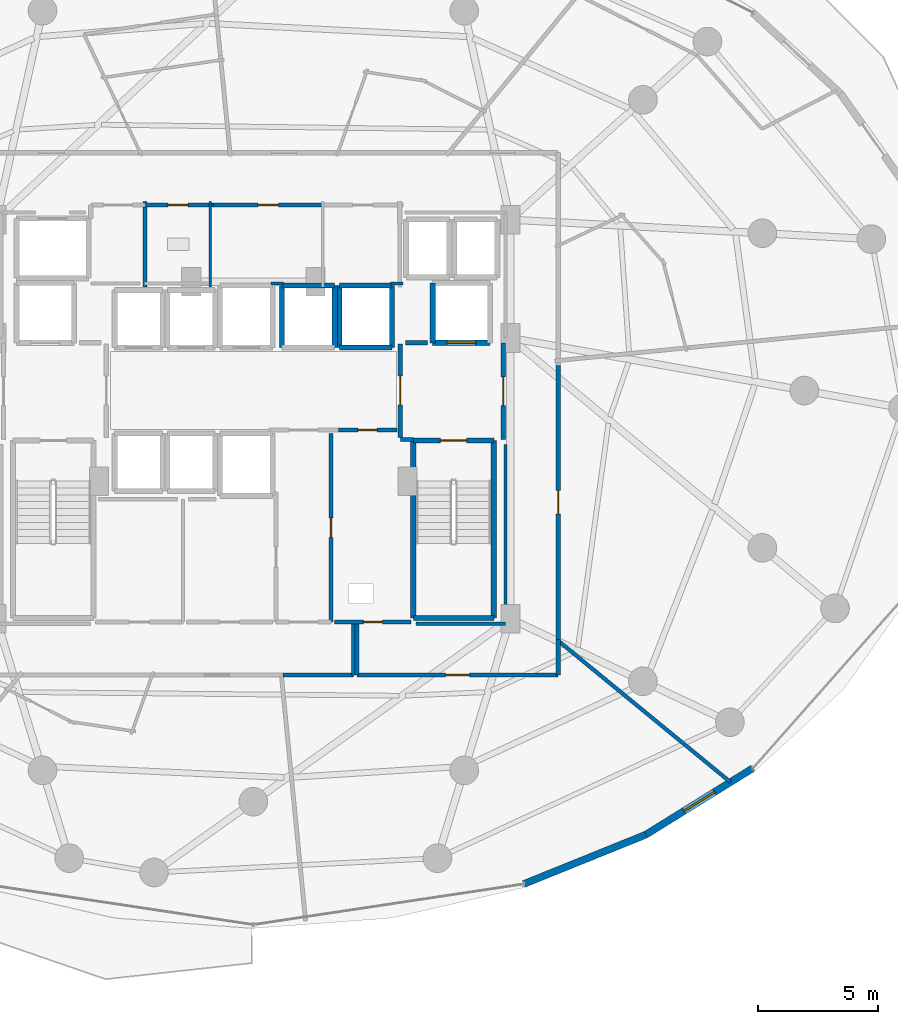
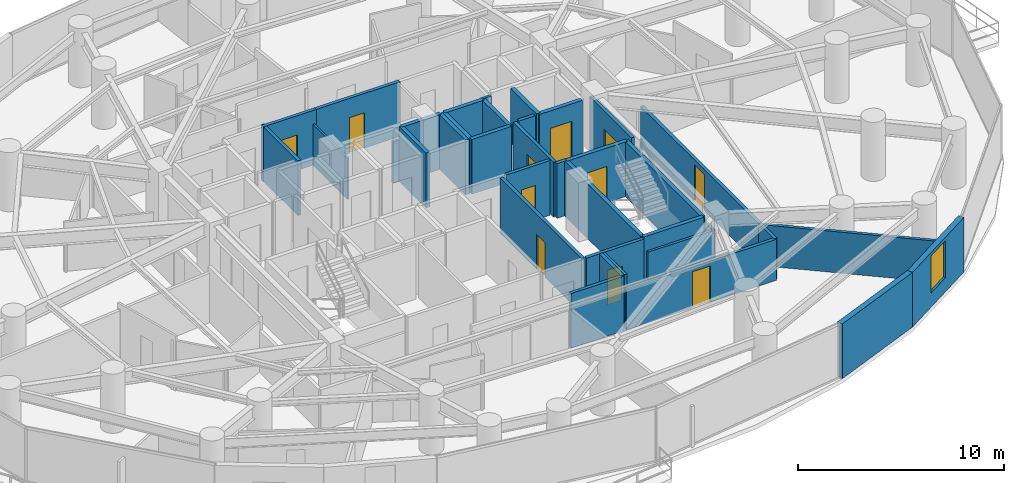
# One storey, part 28 of 33: 37 walls, 11 doors, 1 window, 12 openings.
"""IFC4 building model written with IfcOpenShell, lengths in metres."""

from ifc_helpers import new_model, si_unit, direction, frame, frame_2d, origin, place, context, subcontext, project, spatial, rectangle, extrude, material, layer, layer_set, type_object, element, fill, save


model = new_model("IFC4")

# Units and contexts
model_context = context("Model", 3, precision=1e-05, world=origin(), true_north=direction((0.0, 1.0)))
body_context = subcontext(model_context, "Body", "Model", "MODEL_VIEW")
ifc_project = project(units=[si_unit("LENGTHUNIT", "METRE"), si_unit("AREAUNIT", "SQUARE_METRE"), si_unit("VOLUMEUNIT", "CUBIC_METRE"), si_unit("PLANEANGLEUNIT", "RADIAN"), si_unit("MASSUNIT", "GRAM", prefix="KILO")], contexts=[model_context])

# Site, building, storey
site_placement = place(None, origin())
site = spatial("IfcSite", under=ifc_project, at=site_placement, CompositionType="ELEMENT")
building_placement = place(site_placement, origin())
building = spatial("IfcBuilding", under=site, at=building_placement, Name="Vorneva Point Tower", CompositionType="ELEMENT")
storey_placement = place(building_placement, frame((0.0, 0.0, 59.0)))
storey = spatial("IfcBuildingStorey", under=building, at=storey_placement, Name="L15", CompositionType="ELEMENT", Elevation=59.0)

# Wall, opening, door
ifc_material_1 = material(Name="Concrete B60 (C50/60)", Category="concrete")
ifc_layer_1 = layer(ifc_material_1, 0.5)
ifc_layer_set_1 = layer_set([ifc_layer_1], Name="Concrete B60 (C50/60)")
wall_type_1 = type_object("IfcWallType", Name="WL-CORE-500", PredefinedType="SHEAR", material=ifc_layer_set_1)
wall_1_placement = place(storey_placement, frame((45.5, 28.0, 0.0), z_axis=(0.0, 0.0, 1.0), x_axis=(1.0, 0.0, 0.0)))
wall_1 = element("IfcWall", 1, at=wall_1_placement, inside=storey, type_object=wall_type_1, Name="L15 Lift FFL2 Shaft Wall -Y", PredefinedType="SHEAR", context=body_context, shape_type="SweptSolid", body=[
    extrude(rectangle(XDim=2.39990234375, YDim=0.219970703125, at=frame_2d((1.199951171875, 0.0))), origin(), (0.0, 0.0, 1.0), 3.239990234375),
])
opening_1_placement = place(wall_1_placement, frame((0.60009765625, 0.0, 0.0)))
opening_1 = element("IfcOpeningElement", 2, at=opening_1_placement, cuts=wall_1, Name="Opening LD-02", PredefinedType="OPENING", context=body_context, shape_type="SweptSolid", body=[
    extrude(rectangle(XDim=1.199951171875, YDim=2.199951171875, at=frame_2d((0.60009765625, 1.10009765625))), frame((0.0, 0.125, 0.0), z_axis=(0.0, -1.0, 0.0), x_axis=(1.0, 0.0, 0.0)), (0.0, 0.0, 1.0), 0.249755859375),
])
ifc_material_2 = material(Name="Brushed stainless steel S304", Category="steel")
door_type_1 = type_object("IfcDoorType", Name="LD-FIRE-1200", OperationType="SLIDING_TO_LEFT", PredefinedType="DOOR", material=ifc_material_2)
door_1_placement = place(opening_1_placement, origin())
door_1 = element("IfcDoor", 3, at=door_1_placement, inside=storey, type_object=door_type_1, Name="L15 Lift FFL2 Sliding Landing Door", OperationType="SLIDING_TO_LEFT", OverallHeight=2.199951171875, OverallWidth=1.199951171875, PredefinedType="DOOR", context=body_context, shape_type="SweptSolid", body=[
    extrude(rectangle(XDim=1.199951171875, YDim=2.199951171875, at=frame_2d((0.60009765625, 1.10009765625))), frame((0.0, 0.02490234375, 0.0), z_axis=(0.0, -1.0, 0.0), x_axis=(1.0, 0.0, 0.0)), (0.0, 0.0, 1.0), 0.050048828125),
])
fill(opening_1, door_1)

# Walls
wall_2_placement = place(storey_placement, frame((45.5, 30.5, 0.0), z_axis=(0.0, 0.0, 1.0), x_axis=(0.0, -1.0, 0.0)))
element("IfcWall", 4, at=wall_2_placement, inside=storey, type_object=wall_type_1, Name="L15 Lift FFL2 Shaft Wall -X", PredefinedType="SHEAR", context=body_context, shape_type="SweptSolid", body=[
    extrude(rectangle(XDim=2.5, YDim=0.219970703125, at=frame_2d((1.25, 0.0))), origin(), (0.0, 0.0, 1.0), 3.239990234375),
])
ifc_material_3 = material(Name="Precast concrete B50 (C40/50)", Category="concrete")
ifc_layer_2 = layer(ifc_material_3, 0.300048828125)
ifc_layer_set_2 = layer_set([ifc_layer_2], Name="Precast concrete B50 (C40/50)")
wall_type_2 = type_object("IfcWallType", Name="WL-EXT-300", PredefinedType="STANDARD", material=ifc_layer_set_2)
wall_3_placement = place(storey_placement, frame((49.308349609375, 5.351318359375, 0.0), z_axis=(0.0, 0.0, 1.0), x_axis=(0.927095325176, 0.374825636845, 0.0)))
element("IfcWall", 5, at=wall_3_placement, inside=storey, type_object=wall_type_2, Name="L15 Pale-Metal Facade Spandrel Wall 14.1", PredefinedType="STANDARD", context=body_context, shape_type="SweptSolid", body=[
    extrude(rectangle(XDim=5.51025390625, YDim=0.300048828125, at=frame_2d((2.755126953125, 0.0))), origin(), (0.0, 0.0, 1.0), 3.239990234375),
])

# Wall, opening, window
wall_4_placement = place(storey_placement, frame((54.4169921875, 7.416748046875, 0.0), z_axis=(0.0, 0.0, 1.0), x_axis=(0.849633724826, 0.527373239404, 0.0)))
wall_4 = element("IfcWall", 6, at=wall_4_placement, inside=storey, type_object=wall_type_2, Name="L15 Pale-Metal Facade Spandrel Wall 14.2", PredefinedType="STANDARD", context=body_context, shape_type="SweptSolid", body=[
    extrude(rectangle(XDim=5.2705078125, YDim=0.300048828125, at=frame_2d((2.63525390625, 0.0))), origin(), (0.0, 0.0, 1.0), 3.239990234375),
])
opening_2_placement = place(wall_4_placement, frame((1.88525390625, 0.0, 0.85009765625)))
opening_2 = element("IfcOpeningElement", 7, at=opening_2_placement, cuts=wall_4, Name="Opening W-02", PredefinedType="OPENING", context=body_context, shape_type="SweptSolid", body=[
    extrude(rectangle(XDim=1.5, YDim=2.18994140625, at=frame_2d((0.75, 1.094970703125))), frame((0.0, 0.1650390625, 0.0), z_axis=(0.0, -1.0, 0.0), x_axis=(1.0, 0.0, 0.0)), (0.0, 0.0, 1.0), 0.329833984375),
])
ifc_material_4 = material(Name="Double low-e laminated glass IGU", Category="glass")
window_type = type_object("IfcWindowType", Name="WN-HTL-1500", PartitioningType="SINGLE_PANEL", PredefinedType="WINDOW", material=ifc_material_4)
window_placement = place(opening_2_placement, origin())
window = element("IfcWindow", 8, at=window_placement, inside=storey, type_object=window_type, Name="L15 Facade Window 14", OverallHeight=2.18994140625, OverallWidth=1.5, PartitioningType="SINGLE_PANEL", PredefinedType="WINDOW", context=body_context, shape_type="SweptSolid", body=[
    extrude(rectangle(XDim=1.5, YDim=2.18994140625, at=frame_2d((0.75, 1.094970703125))), frame((0.0, 0.030029296875, 0.0), z_axis=(0.0, -1.0, 0.0), x_axis=(1.0, 0.0, 0.0)), (0.0, 0.0, 1.0), 0.06005859375),
])
fill(opening_2, window)

# Walls
ifc_material_5 = material(Name="Fire-rated acoustic gypsum stud partition", Category="gypsum")
ifc_layer_3 = layer(ifc_material_5, 0.110107421875)
ifc_layer_set_3 = layer_set([ifc_layer_3], Name="Fire-rated acoustic gypsum stud partition")
wall_type_3 = type_object("IfcWallType", Name="WL-PART-110", PredefinedType="PARTITIONING", material=ifc_layer_set_3)
wall_5_placement = place(storey_placement, frame((36.199951171875, 30.340087890625, 0.0), z_axis=(0.0, 0.0, 1.0), x_axis=(0.0, 1.0, 0.0)))
element("IfcWall", 9, at=wall_5_placement, inside=storey, type_object=wall_type_3, Name="L15 Interior Partition 015", PredefinedType="PARTITIONING", context=body_context, shape_type="SweptSolid", body=[
    extrude(rectangle(XDim=3.559814453125, YDim=0.110107421875, at=frame_2d((1.77978515625, 0.0))), origin(), (0.0, 0.0, 1.0), 2.431884765625),
])
ifc_layer_4 = layer(ifc_material_5, 0.139892578125)
ifc_layer_set_4 = layer_set([ifc_layer_4], Name="Fire-rated acoustic gypsum stud partition")
wall_type_4 = type_object("IfcWallType", Name="WL-PART-140", PredefinedType="PARTITIONING", material=ifc_layer_set_4)
wall_6_placement = place(storey_placement, frame((38.735107421875, 30.47998046875, 0.0), z_axis=(0.0, 0.0, 1.0), x_axis=(1.0, 0.0, 0.0)))
element("IfcWall", 10, at=wall_6_placement, inside=storey, type_object=wall_type_4, Name="L15 Interior Closure Partition 099", PredefinedType="PARTITIONING", context=body_context, shape_type="SweptSolid", body=[
    extrude(rectangle(XDim=0.52978515625, YDim=0.139892578125, at=frame_2d((0.264892578125, 0.0))), origin(), (0.0, 0.0, 1.0), 2.431884765625),
])
wall_7_placement = place(storey_placement, frame((43.735107421875, 30.47998046875, 0.0), z_axis=(0.0, 0.0, 1.0), x_axis=(1.0, 0.0, 0.0)))
element("IfcWall", 11, at=wall_7_placement, inside=storey, type_object=wall_type_4, Name="L15 Interior Closure Partition 100", PredefinedType="PARTITIONING", context=body_context, shape_type="SweptSolid", body=[
    extrude(rectangle(XDim=0.52490234375, YDim=0.139892578125, at=frame_2d((0.262451171875, 0.0))), origin(), (0.0, 0.0, 1.0), 3.239990234375),
])
wall_8_placement = place(storey_placement, frame((48.550048828125, 23.75390625, 0.0), z_axis=(0.0, 0.0, 1.0), x_axis=(0.0, -1.0, 0.0)))
element("IfcWall", 12, at=wall_8_placement, inside=storey, type_object=wall_type_4, Name="L15 Interior Closure Partition 106", PredefinedType="PARTITIONING", context=body_context, shape_type="SweptSolid", body=[
    extrude(rectangle(XDim=7.513916015625, YDim=0.139892578125, at=frame_2d((3.7568359375, 0.0))), origin(), (0.0, 0.0, 1.0), 2.431884765625),
])
wall_9_placement = place(storey_placement, frame((48.550048828125, 16.239990234375, 0.0), z_axis=(0.0, 0.0, 1.0), x_axis=(-1.0, 0.0, 0.0)))
element("IfcWall", 13, at=wall_9_placement, inside=storey, type_object=wall_type_4, Name="L15 Interior Closure Partition 107", PredefinedType="PARTITIONING", context=body_context, shape_type="SweptSolid", body=[
    extrude(rectangle(XDim=3.7451171875, YDim=0.139892578125, at=frame_2d((1.87255859375, 0.0))), origin(), (0.0, 0.0, 1.0), 2.431884765625),
])
ifc_layer_5 = layer(ifc_material_5, 0.159912109375)
ifc_layer_set_5 = layer_set([ifc_layer_5], Name="Fire-rated acoustic gypsum stud partition")
wall_type_5 = type_object("IfcWallType", Name="WL-PART-160", PredefinedType="PARTITIONING", material=ifc_layer_set_5)
wall_10_placement = place(storey_placement, frame((57.9599609375, 9.618896484375, 0.0), z_axis=(0.0, 0.0, 1.0), x_axis=(-0.773014125172, 0.634388810025, 0.0)))
element("IfcWall", 14, at=wall_10_placement, inside=storey, type_object=wall_type_5, Name="L15 Interior Partition 094", PredefinedType="PARTITIONING", context=body_context, shape_type="SweptSolid", body=[
    extrude(rectangle(XDim=9.3271484375, YDim=0.159912109375, at=frame_2d((4.66357421875, 0.0))), origin(), (0.0, 0.0, 1.0), 2.431884765625),
])

# Wall, opening, door
ifc_material_6 = material(Name="Autoclaved aerated concrete blockwork", Category="masonry")
ifc_layer_6 = layer(ifc_material_6, 0.179931640625)
ifc_layer_set_6 = layer_set([ifc_layer_6], Name="Autoclaved aerated concrete blockwork")
wall_type_6 = type_object("IfcWallType", Name="WL-PART-180", PredefinedType="PARTITIONING", material=ifc_layer_set_6)
wall_11_placement = place(storey_placement, frame((44.14990234375, 27.955078125, 0.0), z_axis=(0.0, 0.0, 1.0), x_axis=(0.0, -1.0, 0.0)))
wall_11 = element("IfcWall", 15, at=wall_11_placement, inside=storey, type_object=wall_type_6, Name="L15 Interior Partition 003", PredefinedType="PARTITIONING", context=body_context, shape_type="SweptSolid", body=[
    extrude(rectangle(XDim=3.91015625, YDim=0.179931640625, at=frame_2d((1.955078125, 0.0))), origin(), (0.0, 0.0, 1.0), 3.239990234375),
])
opening_3_placement = place(wall_11_placement, frame((1.35498046875, 0.0, 0.0)))
opening_3 = element("IfcOpeningElement", 16, at=opening_3_placement, cuts=wall_11, Name="Opening FD-02", PredefinedType="OPENING", context=body_context, shape_type="SweptSolid", body=[
    extrude(rectangle(XDim=1.199951171875, YDim=2.14990234375, at=frame_2d((0.60009765625, 1.074951171875))), frame((0.0, 0.10498046875, 0.0), z_axis=(0.0, -1.0, 0.0), x_axis=(1.0, 0.0, 0.0)), (0.0, 0.0, 1.0), 0.209716796875),
])
ifc_material_7 = material(Name="Fire-rated powder-coated steel", Category="steel")
door_type_2 = type_object("IfcDoorType", Name="DR-FFL-1200", OperationType="NOTDEFINED", PredefinedType="DOOR", material=ifc_material_7)
door_2_placement = place(opening_3_placement, origin())
door_2 = element("IfcDoor", 17, at=door_2_placement, inside=storey, type_object=door_type_2, Name="L15 Door East Firefighting Lobby / Central Lift Lobby", OperationType="SINGLE_SWING_LEFT", OverallHeight=2.14990234375, OverallWidth=1.199951171875, PredefinedType="DOOR", context=body_context, shape_type="SweptSolid", body=[
    extrude(rectangle(XDim=1.199951171875, YDim=2.14990234375, at=frame_2d((0.60009765625, 1.074951171875))), frame((0.0, 0.02490234375, 0.0), z_axis=(0.0, -1.0, 0.0), x_axis=(1.0, 0.0, 0.0)), (0.0, 0.0, 1.0), 0.050048828125),
])
fill(opening_3, door_2)

# Wall
wall_12_placement = place(storey_placement, frame((44.14990234375, 23.949951171875, 0.0), z_axis=(0.0, 0.0, 1.0), x_axis=(1.0, 0.0, 0.0)))
element("IfcWall", 18, at=wall_12_placement, inside=storey, type_object=wall_type_6, Name="L15 Interior Partition 004", PredefinedType="PARTITIONING", context=body_context, shape_type="SweptSolid", body=[
    extrude(rectangle(XDim=0.5400390625, YDim=0.179931640625, at=frame_2d((0.27001953125, 0.0))), origin(), (0.0, 0.0, 1.0), 3.239990234375),
])

# Wall, opening, door
wall_13_placement = place(storey_placement, frame((48.449951171875, 23.949951171875, 0.0), z_axis=(0.0, 0.0, 1.0), x_axis=(0.0, 1.0, 0.0)))
wall_13 = element("IfcWall", 19, at=wall_13_placement, inside=storey, type_object=wall_type_6, Name="L15 Interior Partition 005", PredefinedType="PARTITIONING", context=body_context, shape_type="SweptSolid", body=[
    extrude(rectangle(XDim=4.050048828125, YDim=0.179931640625, at=frame_2d((2.02490234375, 0.0))), origin(), (0.0, 0.0, 1.0), 3.239990234375),
])
opening_4_placement = place(wall_13_placement, frame((1.425048828125, 0.0, 0.0)))
opening_4 = element("IfcOpeningElement", 20, at=opening_4_placement, cuts=wall_13, Name="Opening FD-02", PredefinedType="OPENING", context=body_context, shape_type="SweptSolid", body=[
    extrude(rectangle(XDim=1.199951171875, YDim=2.14990234375, at=frame_2d((0.60009765625, 1.074951171875))), frame((0.0, 0.10498046875, 0.0), z_axis=(0.0, -1.0, 0.0), x_axis=(1.0, 0.0, 0.0)), (0.0, 0.0, 1.0), 0.209716796875),
])
door_3_placement = place(opening_4_placement, origin())
door_3 = element("IfcDoor", 21, at=door_3_placement, inside=storey, type_object=door_type_2, Name="L15 Door East Firefighting Lobby / L15 Circulation Corridor", OperationType="SINGLE_SWING_LEFT", OverallHeight=2.14990234375, OverallWidth=1.199951171875, PredefinedType="DOOR", context=body_context, shape_type="SweptSolid", body=[
    extrude(rectangle(XDim=1.199951171875, YDim=2.14990234375, at=frame_2d((0.60009765625, 1.074951171875))), frame((0.0, 0.02490234375, 0.0), z_axis=(0.0, -1.0, 0.0), x_axis=(1.0, 0.0, 0.0)), (0.0, 0.0, 1.0), 0.050048828125),
])
fill(opening_4, door_3)

# Wall
wall_14_placement = place(storey_placement, frame((33.469970703125, 30.340087890625, 0.0), z_axis=(0.0, 0.0, 1.0), x_axis=(0.0, 1.0, 0.0)))
element("IfcWall", 22, at=wall_14_placement, inside=storey, type_object=wall_type_6, Name="L15 Interior Partition 006", PredefinedType="PARTITIONING", context=body_context, shape_type="SweptSolid", body=[
    extrude(rectangle(XDim=3.559814453125, YDim=0.179931640625, at=frame_2d((1.77978515625, 0.0))), origin(), (0.0, 0.0, 1.0), 3.239990234375),
])

# Wall, opening, door
wall_15_placement = place(storey_placement, frame((41.554931640625, 24.35009765625, 0.0), z_axis=(0.0, 0.0, 1.0), x_axis=(1.0, 0.0, 0.0)))
wall_15 = element("IfcWall", 23, at=wall_15_placement, inside=storey, type_object=wall_type_6, Name="L15 Interior Partition 010", PredefinedType="PARTITIONING", context=body_context, shape_type="SweptSolid", body=[
    extrude(rectangle(XDim=2.445068359375, YDim=0.179931640625, at=frame_2d((1.22265625, 0.0))), origin(), (0.0, 0.0, 1.0), 3.239990234375),
])
opening_5_placement = place(wall_15_placement, frame((0.822509765625, 0.0, 0.0)))
opening_5 = element("IfcOpeningElement", 24, at=opening_5_placement, cuts=wall_15, Name="Opening RD-01", PredefinedType="OPENING", context=body_context, shape_type="SweptSolid", body=[
    extrude(rectangle(XDim=0.800048828125, YDim=2.050048828125, at=frame_2d((0.39990234375, 1.02490234375))), frame((0.0, 0.10498046875, 0.0), z_axis=(0.0, -1.0, 0.0), x_axis=(1.0, 0.0, 0.0)), (0.0, 0.0, 1.0), 0.209716796875),
])
door_type_3 = type_object("IfcDoorType", Name="DR-RSR-800", OperationType="SINGLE_SWING_LEFT", PredefinedType="DOOR", material=ifc_material_7)
door_4_placement = place(opening_5_placement, origin())
door_4 = element("IfcDoor", 25, at=door_4_placement, inside=storey, type_object=door_type_3, Name="L15 Door Central Lift Lobby / Electrical Riser", OperationType="SINGLE_SWING_LEFT", OverallHeight=2.050048828125, OverallWidth=0.800048828125, PredefinedType="DOOR", context=body_context, shape_type="SweptSolid", body=[
    extrude(rectangle(XDim=0.800048828125, YDim=2.050048828125, at=frame_2d((0.39990234375, 1.02490234375))), frame((0.0, 0.02490234375, 0.0), z_axis=(0.0, -1.0, 0.0), x_axis=(1.0, 0.0, 0.0)), (0.0, 0.0, 1.0), 0.050048828125),
])
fill(opening_5, door_4)

wall_16_placement = place(storey_placement, frame((41.25, 16.320068359375, 0.0), z_axis=(0.0, 0.0, 1.0), x_axis=(0.0, 1.0, 0.0)))
wall_16 = element("IfcWall", 26, at=wall_16_placement, inside=storey, type_object=wall_type_6, Name="L15 Interior Partition 011", PredefinedType="PARTITIONING", context=body_context, shape_type="SweptSolid", body=[
    extrude(rectangle(XDim=7.8798828125, YDim=0.179931640625, at=frame_2d((3.93994140625, 0.0))), origin(), (0.0, 0.0, 1.0), 3.239990234375),
])
opening_6_placement = place(wall_16_placement, frame((3.5400390625, 0.0, 0.0)))
opening_6 = element("IfcOpeningElement", 27, at=opening_6_placement, cuts=wall_16, Name="Opening RD-01", PredefinedType="OPENING", context=body_context, shape_type="SweptSolid", body=[
    extrude(rectangle(XDim=0.800048828125, YDim=2.050048828125, at=frame_2d((0.39990234375, 1.02490234375))), frame((0.0, 0.10498046875, 0.0), z_axis=(0.0, -1.0, 0.0), x_axis=(1.0, 0.0, 0.0)), (0.0, 0.0, 1.0), 0.209716796875),
])
door_5_placement = place(opening_6_placement, origin())
door_5 = element("IfcDoor", 28, at=door_5_placement, inside=storey, type_object=door_type_3, Name="L15 Door Core Service Lobby / Electrical Riser", OperationType="SINGLE_SWING_RIGHT", OverallHeight=2.050048828125, OverallWidth=0.800048828125, PredefinedType="DOOR", context=body_context, shape_type="SweptSolid", body=[
    extrude(rectangle(XDim=0.800048828125, YDim=2.050048828125, at=frame_2d((0.39990234375, 1.02490234375))), frame((0.0, 0.02490234375, 0.0), z_axis=(0.0, -1.0, 0.0), x_axis=(1.0, 0.0, 0.0)), (0.0, 0.0, 1.0), 0.050048828125),
])
fill(opening_6, door_5)

wall_17_placement = place(storey_placement, frame((41.39990234375, 16.320068359375, 0.0), z_axis=(0.0, 0.0, 1.0), x_axis=(1.0, 0.0, 0.0)))
wall_17 = element("IfcWall", 29, at=wall_17_placement, inside=storey, type_object=wall_type_6, Name="L15 Interior Partition 014", PredefinedType="PARTITIONING", context=body_context, shape_type="SweptSolid", body=[
    extrude(rectangle(XDim=3.2001953125, YDim=0.179931640625, at=frame_2d((1.60009765625, 0.0))), origin(), (0.0, 0.0, 1.0), 3.239990234375),
])
opening_7_placement = place(wall_17_placement, frame((1.199951171875, 0.0, 0.0)))
opening_7 = element("IfcOpeningElement", 30, at=opening_7_placement, cuts=wall_17, Name="Opening RD-01", PredefinedType="OPENING", context=body_context, shape_type="SweptSolid", body=[
    extrude(rectangle(XDim=0.800048828125, YDim=2.050048828125, at=frame_2d((0.39990234375, 1.02490234375))), frame((0.0, 0.10498046875, 0.0), z_axis=(0.0, -1.0, 0.0), x_axis=(1.0, 0.0, 0.0)), (0.0, 0.0, 1.0), 0.209716796875),
])
door_6_placement = place(opening_7_placement, origin())
door_6 = element("IfcDoor", 31, at=door_6_placement, inside=storey, type_object=door_type_3, Name="L15 Door Electrical Riser / L15 Circulation Corridor", OperationType="SINGLE_SWING_LEFT", OverallHeight=2.050048828125, OverallWidth=0.800048828125, PredefinedType="DOOR", context=body_context, shape_type="SweptSolid", body=[
    extrude(rectangle(XDim=0.800048828125, YDim=2.050048828125, at=frame_2d((0.39990234375, 1.02490234375))), frame((0.0, 0.02490234375, 0.0), z_axis=(0.0, -1.0, 0.0), x_axis=(1.0, 0.0, 0.0)), (0.0, 0.0, 1.0), 0.050048828125),
])
fill(opening_7, door_6)

wall_18_placement = place(storey_placement, frame((36.340087890625, 33.760009765625, 0.0), z_axis=(0.0, 0.0, 1.0), x_axis=(-1.0, 0.0, 0.0)))
wall_18 = element("IfcWall", 32, at=wall_18_placement, inside=storey, type_object=wall_type_6, Name="L15 Interior Partition 016", PredefinedType="PARTITIONING", context=body_context, shape_type="SweptSolid", body=[
    extrude(rectangle(XDim=2.97998046875, YDim=0.179931640625, at=frame_2d((1.489990234375, 0.0))), origin(), (0.0, 0.0, 1.0), 3.239990234375),
])
opening_8_placement = place(wall_18_placement, frame((1.06494140625, 0.0, 0.0)))
opening_8 = element("IfcOpeningElement", 33, at=opening_8_placement, cuts=wall_18, Name="Opening ID-02", PredefinedType="OPENING", context=body_context, shape_type="SweptSolid", body=[
    extrude(rectangle(XDim=0.85009765625, YDim=2.10009765625, at=frame_2d((0.425048828125, 1.050048828125))), frame((0.0, 0.10498046875, 0.0), z_axis=(0.0, -1.0, 0.0), x_axis=(1.0, 0.0, 0.0)), (0.0, 0.0, 1.0), 0.209716796875),
])
ifc_material_8 = material(Name="Engineered oak fire-rated door leaf", Category="wood")
door_type_4 = type_object("IfcDoorType", Name="DR-BATH-850", OperationType="NOTDEFINED", PredefinedType="DOOR", material=ifc_material_8)
door_7_placement = place(opening_8_placement, origin())
door_7 = element("IfcDoor", 34, at=door_7_placement, inside=storey, type_object=door_type_4, Name="L15 Door Public Male WC / L15 Circulation Corridor", OperationType="SINGLE_SWING_RIGHT", OverallHeight=2.10009765625, OverallWidth=0.85009765625, PredefinedType="DOOR", context=body_context, shape_type="SweptSolid", body=[
    extrude(rectangle(XDim=0.85009765625, YDim=2.10009765625, at=frame_2d((0.425048828125, 1.050048828125))), frame((0.0, 0.02490234375, 0.0), z_axis=(0.0, -1.0, 0.0), x_axis=(1.0, 0.0, 0.0)), (0.0, 0.0, 1.0), 0.050048828125),
])
fill(opening_8, door_7)

wall_19_placement = place(storey_placement, frame((41.0400390625, 33.760009765625, 0.0), z_axis=(0.0, 0.0, 1.0), x_axis=(-1.0, 0.0, 0.0)))
wall_19 = element("IfcWall", 35, at=wall_19_placement, inside=storey, type_object=wall_type_6, Name="L15 Interior Partition 018", PredefinedType="PARTITIONING", context=body_context, shape_type="SweptSolid", body=[
    extrude(rectangle(XDim=4.840087890625, YDim=0.179931640625, at=frame_2d((2.419921875, 0.0))), origin(), (0.0, 0.0, 1.0), 3.239990234375),
])
opening_9_placement = place(wall_19_placement, frame((1.9951171875, 0.0, 0.0)))
opening_9 = element("IfcOpeningElement", 36, at=opening_9_placement, cuts=wall_19, Name="Opening ID-02", PredefinedType="OPENING", context=body_context, shape_type="SweptSolid", body=[
    extrude(rectangle(XDim=0.85009765625, YDim=2.10009765625, at=frame_2d((0.425048828125, 1.050048828125))), frame((0.0, 0.10498046875, 0.0), z_axis=(0.0, -1.0, 0.0), x_axis=(1.0, 0.0, 0.0)), (0.0, 0.0, 1.0), 0.209716796875),
])
door_8_placement = place(opening_9_placement, origin())
door_8 = element("IfcDoor", 37, at=door_8_placement, inside=storey, type_object=door_type_4, Name="L15 Door Public Female WC / L15 Circulation Corridor", OperationType="SINGLE_SWING_LEFT", OverallHeight=2.10009765625, OverallWidth=0.85009765625, PredefinedType="DOOR", context=body_context, shape_type="SweptSolid", body=[
    extrude(rectangle(XDim=0.85009765625, YDim=2.10009765625, at=frame_2d((0.425048828125, 1.050048828125))), frame((0.0, 0.02490234375, 0.0), z_axis=(0.0, -1.0, 0.0), x_axis=(1.0, 0.0, 0.0)), (0.0, 0.0, 1.0), 0.050048828125),
])
fill(opening_9, door_8)

# Wall
wall_20_placement = place(storey_placement, frame((42.340087890625, 16.239990234375, 0.0), z_axis=(0.0, 0.0, 1.0), x_axis=(0.0, -1.0, 0.0)))
element("IfcWall", 38, at=wall_20_placement, inside=storey, type_object=wall_type_6, Name="L15 Interior Partition 039", PredefinedType="PARTITIONING", context=body_context, shape_type="SweptSolid", body=[
    extrude(rectangle(XDim=2.139892578125, YDim=0.179931640625, at=frame_2d((1.06982421875, 0.0))), origin(), (0.0, 0.0, 1.0), 3.239990234375),
])

# Wall, opening, door
wall_21_placement = place(storey_placement, frame((42.340087890625, 14.10009765625, 0.0), z_axis=(0.0, 0.0, 1.0), x_axis=(1.0, 0.0, 0.0)))
wall_21 = element("IfcWall", 39, at=wall_21_placement, inside=storey, type_object=wall_type_6, Name="L15 Interior Partition 040", PredefinedType="PARTITIONING", context=body_context, shape_type="SweptSolid", body=[
    extrude(rectangle(XDim=8.409912109375, YDim=0.179931640625, at=frame_2d((4.205078125, 0.0))), origin(), (0.0, 0.0, 1.0), 2.431884765625),
])
opening_10_placement = place(wall_21_placement, frame((3.705078125, 0.0, 0.0)))
opening_10 = element("IfcOpeningElement", 40, at=opening_10_placement, cuts=wall_21, Name="Opening UD-01", PredefinedType="OPENING", context=body_context, shape_type="SweptSolid", body=[
    extrude(rectangle(XDim=1.0, YDim=2.14990234375, at=frame_2d((0.5, 1.074951171875))), frame((0.0, 0.10498046875, 0.0), z_axis=(0.0, -1.0, 0.0), x_axis=(1.0, 0.0, 0.0)), (0.0, 0.0, 1.0), 0.209716796875),
])
door_type_5 = type_object("IfcDoorType", Name="DR-UNIT-1000", OperationType="NOTDEFINED", PredefinedType="DOOR", material=ifc_material_8)
door_9_placement = place(opening_10_placement, origin())
door_9 = element("IfcDoor", 41, at=door_9_placement, inside=storey, type_object=door_type_5, Name="L15 Door L15 Circulation Corridor / Hotel Club Lounge L15-07", OperationType="SINGLE_SWING_LEFT", OverallHeight=2.14990234375, OverallWidth=1.0, PredefinedType="DOOR", context=body_context, shape_type="SweptSolid", body=[
    extrude(rectangle(XDim=1.0, YDim=2.14990234375, at=frame_2d((0.5, 1.074951171875))), frame((0.0, 0.02490234375, 0.0), z_axis=(0.0, -1.0, 0.0), x_axis=(1.0, 0.0, 0.0)), (0.0, 0.0, 1.0), 0.050048828125),
])
fill(opening_10, door_9)

# Walls
wall_22_placement = place(storey_placement, frame((50.75, 14.10009765625, 0.0), z_axis=(0.0, 0.0, 1.0), x_axis=(0.0, 1.0, 0.0)))
element("IfcWall", 42, at=wall_22_placement, inside=storey, type_object=wall_type_6, Name="L15 Interior Partition 041", PredefinedType="PARTITIONING", context=body_context, shape_type="SweptSolid", body=[
    extrude(rectangle(XDim=1.495849609375, YDim=0.179931640625, at=frame_2d((0.748046875, 0.0))), origin(), (0.0, 0.0, 1.0), 2.431884765625),
])
wall_23_placement = place(storey_placement, frame((39.23193359375, 14.10009765625, 0.0), z_axis=(0.0, 0.0, 1.0), x_axis=(1.0, 0.0, 0.0)))
element("IfcWall", 43, at=wall_23_placement, inside=storey, type_object=wall_type_6, Name="L15 Interior Partition 042", PredefinedType="PARTITIONING", context=body_context, shape_type="SweptSolid", body=[
    extrude(rectangle(XDim=2.968017578125, YDim=0.179931640625, at=frame_2d((1.48388671875, 0.0))), origin(), (0.0, 0.0, 1.0), 3.239990234375),
])
wall_24_placement = place(storey_placement, frame((42.199951171875, 14.10009765625, 0.0), z_axis=(0.0, 0.0, 1.0), x_axis=(0.0, 1.0, 0.0)))
element("IfcWall", 44, at=wall_24_placement, inside=storey, type_object=wall_type_6, Name="L15 Interior Partition 043", PredefinedType="PARTITIONING", context=body_context, shape_type="SweptSolid", body=[
    extrude(rectangle(XDim=2.139892578125, YDim=0.179931640625, at=frame_2d((1.06982421875, 0.0))), origin(), (0.0, 0.0, 1.0), 3.239990234375),
])

# Wall, opening, door
wall_25_placement = place(storey_placement, frame((50.75, 15.595947265625, 0.0), z_axis=(0.0, 0.0, 1.0), x_axis=(0.0, 1.0, 0.0)))
wall_25 = element("IfcWall", 45, at=wall_25_placement, inside=storey, type_object=wall_type_6, Name="L15 Interior Partition 044", PredefinedType="PARTITIONING", context=body_context, shape_type="SweptSolid", body=[
    extrude(rectangle(XDim=11.4599609375, YDim=0.179931640625, at=frame_2d((5.72998046875, 0.0))), origin(), (0.0, 0.0, 1.0), 2.431884765625),
])
opening_11_placement = place(wall_25_placement, frame((5.22998046875, 0.0, 0.0)))
opening_11 = element("IfcOpeningElement", 46, at=opening_11_placement, cuts=wall_25, Name="Opening UD-01", PredefinedType="OPENING", context=body_context, shape_type="SweptSolid", body=[
    extrude(rectangle(XDim=1.0, YDim=2.14990234375, at=frame_2d((0.5, 1.074951171875))), frame((0.0, 0.10498046875, 0.0), z_axis=(0.0, -1.0, 0.0), x_axis=(1.0, 0.0, 0.0)), (0.0, 0.0, 1.0), 0.209716796875),
])
door_10_placement = place(opening_11_placement, origin())
door_10 = element("IfcDoor", 47, at=door_10_placement, inside=storey, type_object=door_type_5, Name="L15 Door L15 Circulation Corridor / Executive Meeting Room L15-08", OperationType="SINGLE_SWING_RIGHT", OverallHeight=2.14990234375, OverallWidth=1.0, PredefinedType="DOOR", context=body_context, shape_type="SweptSolid", body=[
    extrude(rectangle(XDim=1.0, YDim=2.14990234375, at=frame_2d((0.5, 1.074951171875))), frame((0.0, 0.02490234375, 0.0), z_axis=(0.0, -1.0, 0.0), x_axis=(1.0, 0.0, 0.0)), (0.0, 0.0, 1.0), 0.050048828125),
])
fill(opening_11, door_10)

# Wall
wall_26_placement = place(storey_placement, frame((45.280029296875, 28.0, 0.0), z_axis=(0.0, 0.0, 1.0), x_axis=(-1.0, 0.0, 0.0)))
element("IfcWall", 48, at=wall_26_placement, inside=storey, type_object=wall_type_6, Name="L15 Interior Closure Partition 096", PredefinedType="PARTITIONING", context=body_context, shape_type="SweptSolid", body=[
    extrude(rectangle(XDim=0.9150390625, YDim=0.179931640625, at=frame_2d((0.45751953125, 0.0))), origin(), (0.0, 0.0, 1.0), 3.239990234375),
])

# Wall, opening, door
ifc_material_9 = material(Name="Concrete B50 (C40/50)", Category="concrete")
ifc_layer_7 = layer(ifc_material_9, 0.219970703125)
ifc_layer_set_7 = layer_set([ifc_layer_7], Name="Concrete B50 (C40/50)")
wall_type_7 = type_object("IfcWallType", Name="WL-SHFT-220", PredefinedType="SOLIDWALL", material=ifc_layer_set_7)
wall_27_placement = place(storey_placement, frame((44.68994140625, 23.909912109375, 0.0), z_axis=(0.0, 0.0, 1.0), x_axis=(1.0, 0.0, 0.0)))
wall_27 = element("IfcWall", 49, at=wall_27_placement, inside=storey, type_object=wall_type_7, Name="L15 Exit Stair ST2 Shaft Wall near", PredefinedType="SOLIDWALL", context=body_context, shape_type="SweptSolid", body=[
    extrude(rectangle(XDim=3.3701171875, YDim=0.219970703125, at=frame_2d((1.68505859375, 0.0))), origin(), (0.0, 0.0, 1.0), 3.239990234375),
])
opening_12_placement = place(wall_27_placement, frame((1.135009765625, 0.0, 0.0)))
opening_12 = element("IfcOpeningElement", 50, at=opening_12_placement, cuts=wall_27, Name="Opening FD-01", PredefinedType="OPENING", context=body_context, shape_type="SweptSolid", body=[
    extrude(rectangle(XDim=1.10009765625, YDim=2.14990234375, at=frame_2d((0.550048828125, 1.074951171875))), frame((0.0, 0.125, 0.0), z_axis=(0.0, -1.0, 0.0), x_axis=(1.0, 0.0, 0.0)), (0.0, 0.0, 1.0), 0.249755859375),
])
door_type_6 = type_object("IfcDoorType", Name="DR-STAIR-1100", OperationType="NOTDEFINED", PredefinedType="DOOR", material=ifc_material_7)
door_11_placement = place(opening_12_placement, origin())
door_11 = element("IfcDoor", 51, at=door_11_placement, inside=storey, type_object=door_type_6, Name="L15 Exit Stair ST2 Fire Door", OperationType="SINGLE_SWING_RIGHT", OverallHeight=2.14990234375, OverallWidth=1.10009765625, PredefinedType="DOOR", context=body_context, shape_type="SweptSolid", body=[
    extrude(rectangle(XDim=1.10009765625, YDim=2.14990234375, at=frame_2d((0.550048828125, 1.074951171875))), frame((0.0, 0.02490234375, 0.0), z_axis=(0.0, -1.0, 0.0), x_axis=(1.0, 0.0, 0.0)), (0.0, 0.0, 1.0), 0.050048828125),
])
fill(opening_12, door_11)

# Walls
wall_28_placement = place(storey_placement, frame((48.06005859375, 23.909912109375, 0.0), z_axis=(0.0, 0.0, 1.0), x_axis=(0.0, -1.0, 0.0)))
element("IfcWall", 52, at=wall_28_placement, inside=storey, type_object=wall_type_7, Name="L15 Exit Stair ST2 Shaft Wall right", PredefinedType="SOLIDWALL", context=body_context, shape_type="SweptSolid", body=[
    extrude(rectangle(XDim=7.419921875, YDim=0.219970703125, at=frame_2d((3.7099609375, 0.0))), origin(), (0.0, 0.0, 1.0), 3.239990234375),
])
wall_29_placement = place(storey_placement, frame((48.06005859375, 16.489990234375, 0.0), z_axis=(0.0, 0.0, 1.0), x_axis=(-1.0, 0.0, 0.0)))
element("IfcWall", 53, at=wall_29_placement, inside=storey, type_object=wall_type_7, Name="L15 Exit Stair ST2 Shaft Wall far", PredefinedType="SOLIDWALL", context=body_context, shape_type="SweptSolid", body=[
    extrude(rectangle(XDim=3.3701171875, YDim=0.219970703125, at=frame_2d((1.68505859375, 0.0))), origin(), (0.0, 0.0, 1.0), 3.239990234375),
])
wall_30_placement = place(storey_placement, frame((44.68994140625, 16.489990234375, 0.0), z_axis=(0.0, 0.0, 1.0), x_axis=(0.0, 1.0, 0.0)))
element("IfcWall", 54, at=wall_30_placement, inside=storey, type_object=wall_type_7, Name="L15 Exit Stair ST2 Shaft Wall left", PredefinedType="SOLIDWALL", context=body_context, shape_type="SweptSolid", body=[
    extrude(rectangle(XDim=7.419921875, YDim=0.219970703125, at=frame_2d((3.7099609375, 0.0))), origin(), (0.0, 0.0, 1.0), 3.239990234375),
])
wall_31_placement = place(storey_placement, frame((41.39990234375, 27.800048828125, 0.0), z_axis=(0.0, 0.0, 1.0), x_axis=(0.0, 1.0, 0.0)))
element("IfcWall", 55, at=wall_31_placement, inside=storey, type_object=wall_type_7, Name="L15 Lift PL7 Shaft Wall +X", PredefinedType="SOLIDWALL", context=body_context, shape_type="SweptSolid", body=[
    extrude(rectangle(XDim=2.599853515625, YDim=0.219970703125, at=frame_2d((1.2998046875, 0.0))), origin(), (0.0, 0.0, 1.0), 3.239990234375),
])
wall_32_placement = place(storey_placement, frame((41.39990234375, 30.39990234375, 0.0), z_axis=(0.0, 0.0, 1.0), x_axis=(-1.0, 0.0, 0.0)))
element("IfcWall", 56, at=wall_32_placement, inside=storey, type_object=wall_type_7, Name="L15 Lift PL7 Shaft Wall +Y", PredefinedType="SOLIDWALL", context=body_context, shape_type="SweptSolid", body=[
    extrude(rectangle(XDim=2.199951171875, YDim=0.219970703125, at=frame_2d((1.10009765625, 0.0))), origin(), (0.0, 0.0, 1.0), 3.239990234375),
])
wall_33_placement = place(storey_placement, frame((39.199951171875, 30.39990234375, 0.0), z_axis=(0.0, 0.0, 1.0), x_axis=(0.0, -1.0, 0.0)))
element("IfcWall", 57, at=wall_33_placement, inside=storey, type_object=wall_type_7, Name="L15 Lift PL7 Shaft Wall -X", PredefinedType="SOLIDWALL", context=body_context, shape_type="SweptSolid", body=[
    extrude(rectangle(XDim=2.599853515625, YDim=0.219970703125, at=frame_2d((1.2998046875, 0.0))), origin(), (0.0, 0.0, 1.0), 3.239990234375),
])
wall_34_placement = place(storey_placement, frame((41.60009765625, 27.800048828125, 0.0), z_axis=(0.0, 0.0, 1.0), x_axis=(1.0, 0.0, 0.0)))
element("IfcWall", 58, at=wall_34_placement, inside=storey, type_object=wall_type_7, Name="L15 Lift PL8 Shaft Wall -Y", PredefinedType="SOLIDWALL", context=body_context, shape_type="SweptSolid", body=[
    extrude(rectangle(XDim=2.199951171875, YDim=0.219970703125, at=frame_2d((1.10009765625, 0.0))), origin(), (0.0, 0.0, 1.0), 3.239990234375),
])
wall_35_placement = place(storey_placement, frame((43.800048828125, 27.800048828125, 0.0), z_axis=(0.0, 0.0, 1.0), x_axis=(0.0, 1.0, 0.0)))
element("IfcWall", 59, at=wall_35_placement, inside=storey, type_object=wall_type_7, Name="L15 Lift PL8 Shaft Wall +X", PredefinedType="SOLIDWALL", context=body_context, shape_type="SweptSolid", body=[
    extrude(rectangle(XDim=2.599853515625, YDim=0.219970703125, at=frame_2d((1.2998046875, 0.0))), origin(), (0.0, 0.0, 1.0), 3.239990234375),
])
wall_36_placement = place(storey_placement, frame((43.800048828125, 30.39990234375, 0.0), z_axis=(0.0, 0.0, 1.0), x_axis=(-1.0, 0.0, 0.0)))
element("IfcWall", 60, at=wall_36_placement, inside=storey, type_object=wall_type_7, Name="L15 Lift PL8 Shaft Wall +Y", PredefinedType="SOLIDWALL", context=body_context, shape_type="SweptSolid", body=[
    extrude(rectangle(XDim=2.199951171875, YDim=0.219970703125, at=frame_2d((1.10009765625, 0.0))), origin(), (0.0, 0.0, 1.0), 3.239990234375),
])
wall_37_placement = place(storey_placement, frame((41.60009765625, 30.39990234375, 0.0), z_axis=(0.0, 0.0, 1.0), x_axis=(0.0, -1.0, 0.0)))
element("IfcWall", 61, at=wall_37_placement, inside=storey, type_object=wall_type_7, Name="L15 Lift PL8 Shaft Wall -X", PredefinedType="SOLIDWALL", context=body_context, shape_type="SweptSolid", body=[
    extrude(rectangle(XDim=2.599853515625, YDim=0.219970703125, at=frame_2d((1.2998046875, 0.0))), origin(), (0.0, 0.0, 1.0), 3.239990234375),
])

save(model, "model.ifc")
